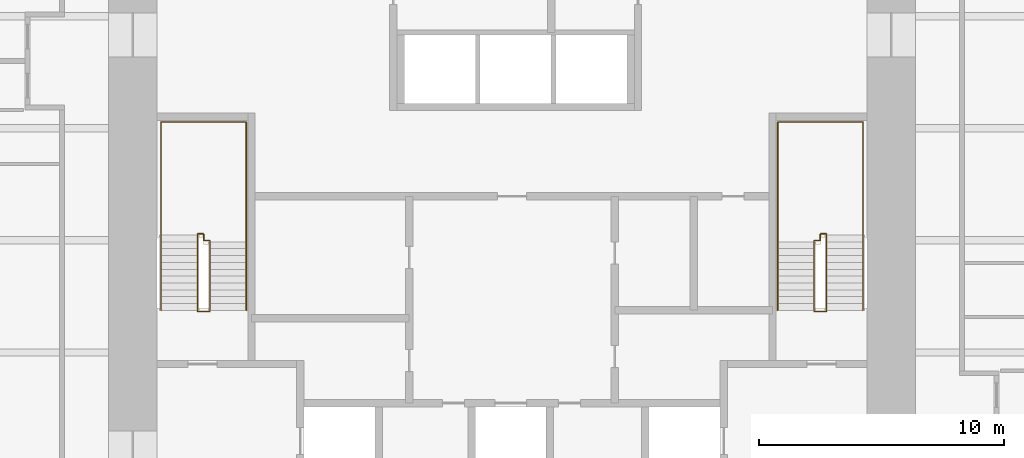
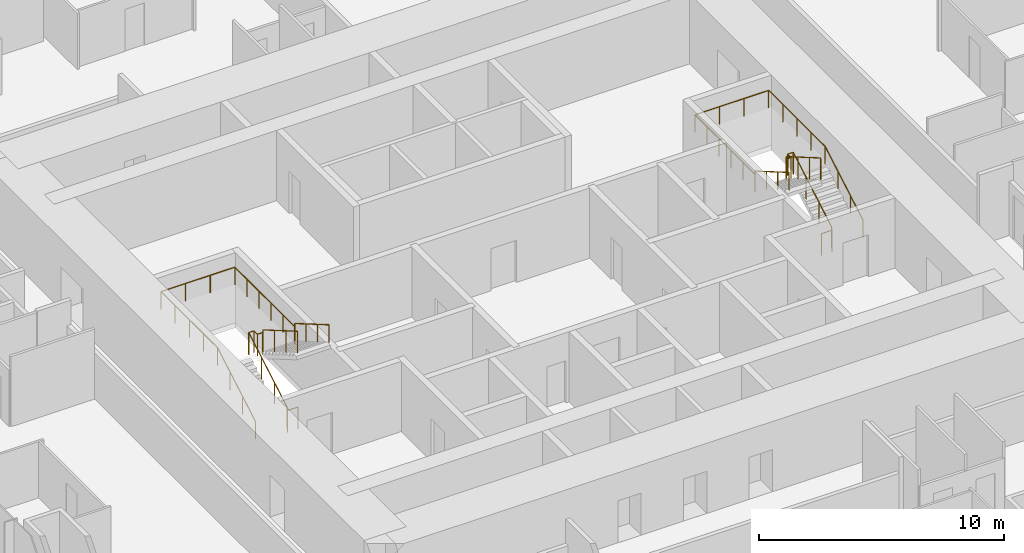
# One storey, part 11 of 11: 4 railings.
"""IFC4 building model written with IfcOpenShell, lengths in metres."""

from ifc_helpers import new_model, si_unit, direction, frame, origin, origin_2d, place, context, subcontext, project, spatial, circle, extrude, material, type_object, element, save


model = new_model("IFC4")

# Units and contexts
model_context = context("Model", 3, precision=1e-05, world=origin(), true_north=direction((0.0, 1.0)))
body_context = subcontext(model_context, "Body", "Model", "MODEL_VIEW")
ifc_project = project(units=[si_unit("LENGTHUNIT", "METRE"), si_unit("AREAUNIT", "SQUARE_METRE"), si_unit("VOLUMEUNIT", "CUBIC_METRE"), si_unit("PLANEANGLEUNIT", "RADIAN"), si_unit("MASSUNIT", "GRAM", prefix="KILO")], contexts=[model_context])

# Site, building, storey
site_placement = place(None, origin())
site = spatial("IfcSite", under=ifc_project, at=site_placement, CompositionType="ELEMENT")
building_placement = place(site_placement, origin())
building = spatial("IfcBuilding", under=site, at=building_placement, Name="Khuree Lantern Residences", CompositionType="ELEMENT")
storey_placement = place(building_placement, frame((0.0, 0.0, 171.0)))
storey = spatial("IfcBuildingStorey", under=building, at=storey_placement, Name="L43", CompositionType="ELEMENT", Elevation=171.0)

# Railings
ifc_material = material(Name="Steel S355", Category="steel")
railing_type_1 = type_object("IfcRailingType", Name="STAIR GUARD G1 1100", PredefinedType="GUARDRAIL", material=ifc_material)
railing_1_placement = place(storey_placement, frame((-12.35009765625, -2.909912109375, 0.0)))
element("IfcRailing", 1, at=railing_1_placement, inside=storey, type_object=railing_type_1, Name="Stair ST1 guard", PredefinedType="GUARDRAIL", context=body_context, shape_type="SweptSolid", body=[
    extrude(circle(Radius=0.02392578125, at=origin_2d()), frame((0.0, 0.0, 1.076171875), z_axis=(-1.0, 0.0, 0.0), x_axis=(0.0, -1.0, 0.0)), (0.0, 0.0, 1.0), 0.5),
    extrude(circle(Radius=0.02392578125, at=origin_2d()), frame((-0.5, 0.0, 1.076171875), z_axis=(0.0, 0.292073035251, 0.95639601739), x_axis=(-1.0, 0.0, 0.0)), (0.0, 0.0, 1.0), 0.17041015625),
    extrude(circle(Radius=0.02392578125, at=origin_2d()), frame((-0.5, 0.0498046875, 1.2392578125), z_axis=(0.0, 0.864176135923, 0.503189433615), x_axis=(-1.0, 0.0, 0.0)), (0.0, 0.0, 1.0), 3.564208984375),
    extrude(circle(Radius=0.02392578125, at=origin_2d()), frame((-0.5, 3.1298828125, 3.03271484375), z_axis=(0.0, 1.0, 0.0), x_axis=(-1.0, 0.0, 0.0)), (0.0, 0.0, 1.0), 0.050048828125),
    extrude(circle(Radius=0.02392578125, at=origin_2d()), frame((-0.5, 3.179931640625, 3.03271484375), z_axis=(1.0, 0.0, 0.0), x_axis=(0.0, 1.0, 0.0)), (0.0, 0.0, 1.0), 0.25),
    extrude(circle(Radius=0.02392578125, at=origin_2d()), frame((-0.25, 3.179931640625, 3.03271484375), z_axis=(0.0, -1.0, 0.0), x_axis=(1.0, 0.0, 0.0)), (0.0, 0.0, 1.0), 0.280029296875),
    extrude(circle(Radius=0.02392578125, at=origin_2d()), frame((-0.25, 2.89990234375, 3.03271484375), z_axis=(1.0, 0.0, 0.0), x_axis=(0.0, 1.0, 0.0)), (0.0, 0.0, 1.0), 0.25),
    extrude(circle(Radius=0.02392578125, at=origin_2d()), frame((0.0, 2.89990234375, 3.03271484375), z_axis=(0.0, -0.293381807449, 0.955995353053), x_axis=(1.0, 0.0, 0.0)), (0.0, 0.0, 1.0), 0.170654296875),
    extrude(circle(Radius=0.02392578125, at=origin_2d()), frame((0.0, 2.849853515625, 3.19580078125), z_axis=(0.0, -0.864180358799, 0.503182181189), x_axis=(1.0, 0.0, 0.0)), (0.0, 0.0, 1.0), 3.240234375),
    extrude(circle(Radius=0.02099609375, at=origin_2d()), origin(), (0.0, 0.0, 1.0), 1.052001953125),
    extrude(circle(Radius=0.02099609375, at=origin_2d()), frame((-0.5, 0.0, 0.0)), (0.0, 0.0, 1.0), 1.052001953125),
    extrude(circle(Radius=0.02099609375, at=origin_2d()), frame((-0.5, 0.0498046875, 0.1630859375)), (0.0, 0.0, 1.0), 1.052001953125),
    extrude(circle(Radius=0.02099609375, at=origin_2d()), frame((-0.5, 1.076416015625, 0.760986328125)), (0.0, 0.0, 1.0), 1.052001953125),
    extrude(circle(Radius=0.02099609375, at=origin_2d()), frame((-0.5, 2.103271484375, 1.358642578125)), (0.0, 0.0, 1.0), 1.052001953125),
    extrude(circle(Radius=0.02099609375, at=origin_2d()), frame((-0.5, 3.1298828125, 1.95654296875)), (0.0, 0.0, 1.0), 1.052001953125),
    extrude(circle(Radius=0.02099609375, at=origin_2d()), frame((-0.5, 3.179931640625, 1.95654296875)), (0.0, 0.0, 1.0), 1.052001953125),
    extrude(circle(Radius=0.02099609375, at=origin_2d()), frame((-0.25, 3.179931640625, 1.95654296875)), (0.0, 0.0, 1.0), 1.052001953125),
    extrude(circle(Radius=0.02099609375, at=origin_2d()), frame((-0.25, 2.89990234375, 1.95654296875)), (0.0, 0.0, 1.0), 1.052001953125),
    extrude(circle(Radius=0.02099609375, at=origin_2d()), frame((0.0, 2.89990234375, 1.95654296875)), (0.0, 0.0, 1.0), 1.052001953125),
    extrude(circle(Radius=0.02099609375, at=origin_2d()), frame((0.0, 2.849853515625, 2.11962890625)), (0.0, 0.0, 1.0), 1.052001953125),
    extrude(circle(Radius=0.02099609375, at=origin_2d()), frame((0.0, 1.91650390625, 2.6630859375)), (0.0, 0.0, 1.0), 1.052001953125),
    extrude(circle(Radius=0.02099609375, at=origin_2d()), frame((0.0, 0.983154296875, 3.20654296875)), (0.0, 0.0, 1.0), 1.052001953125),
    extrude(circle(Radius=0.02099609375, at=origin_2d()), frame((0.0, 0.0498046875, 3.75)), (0.0, 0.0, 1.0), 1.052001953125),
])
railing_2_placement = place(storey_placement, frame((12.35009765625, -2.909912109375, 0.0)))
element("IfcRailing", 2, at=railing_2_placement, inside=storey, type_object=railing_type_1, Name="Stair ST2 guard", PredefinedType="GUARDRAIL", context=body_context, shape_type="SweptSolid", body=[
    extrude(circle(Radius=0.02392578125, at=origin_2d()), frame((0.0, 0.0, 1.076171875), z_axis=(1.0, 0.0, 0.0), x_axis=(0.0, 1.0, 0.0)), (0.0, 0.0, 1.0), 0.5),
    extrude(circle(Radius=0.02392578125, at=origin_2d()), frame((0.5, 0.0, 1.076171875), z_axis=(0.0, 0.292073035251, 0.95639601739), x_axis=(-1.0, 0.0, 0.0)), (0.0, 0.0, 1.0), 0.17041015625),
    extrude(circle(Radius=0.02392578125, at=origin_2d()), frame((0.5, 0.0498046875, 1.2392578125), z_axis=(0.0, 0.864176135923, 0.503189433615), x_axis=(-1.0, 0.0, 0.0)), (0.0, 0.0, 1.0), 3.564208984375),
    extrude(circle(Radius=0.02392578125, at=origin_2d()), frame((0.5, 3.1298828125, 3.03271484375), z_axis=(0.0, 1.0, 0.0), x_axis=(-1.0, 0.0, 0.0)), (0.0, 0.0, 1.0), 0.050048828125),
    extrude(circle(Radius=0.02392578125, at=origin_2d()), frame((0.5, 3.179931640625, 3.03271484375), z_axis=(-1.0, 0.0, 0.0), x_axis=(0.0, -1.0, 0.0)), (0.0, 0.0, 1.0), 0.25),
    extrude(circle(Radius=0.02392578125, at=origin_2d()), frame((0.25, 3.179931640625, 3.03271484375), z_axis=(0.0, -1.0, 0.0), x_axis=(1.0, 0.0, 0.0)), (0.0, 0.0, 1.0), 0.280029296875),
    extrude(circle(Radius=0.02392578125, at=origin_2d()), frame((0.25, 2.89990234375, 3.03271484375), z_axis=(-1.0, 0.0, 0.0), x_axis=(0.0, -1.0, 0.0)), (0.0, 0.0, 1.0), 0.25),
    extrude(circle(Radius=0.02392578125, at=origin_2d()), frame((0.0, 2.89990234375, 3.03271484375), z_axis=(0.0, -0.293381807449, 0.955995353053), x_axis=(1.0, 0.0, 0.0)), (0.0, 0.0, 1.0), 0.170654296875),
    extrude(circle(Radius=0.02392578125, at=origin_2d()), frame((0.0, 2.849853515625, 3.19580078125), z_axis=(0.0, -0.864180358799, 0.503182181189), x_axis=(1.0, 0.0, 0.0)), (0.0, 0.0, 1.0), 3.240234375),
    extrude(circle(Radius=0.02099609375, at=origin_2d()), origin(), (0.0, 0.0, 1.0), 1.052001953125),
    extrude(circle(Radius=0.02099609375, at=origin_2d()), frame((0.5, 0.0, 0.0)), (0.0, 0.0, 1.0), 1.052001953125),
    extrude(circle(Radius=0.02099609375, at=origin_2d()), frame((0.5, 0.0498046875, 0.1630859375)), (0.0, 0.0, 1.0), 1.052001953125),
    extrude(circle(Radius=0.02099609375, at=origin_2d()), frame((0.5, 1.076416015625, 0.760986328125)), (0.0, 0.0, 1.0), 1.052001953125),
    extrude(circle(Radius=0.02099609375, at=origin_2d()), frame((0.5, 2.103271484375, 1.358642578125)), (0.0, 0.0, 1.0), 1.052001953125),
    extrude(circle(Radius=0.02099609375, at=origin_2d()), frame((0.5, 3.1298828125, 1.95654296875)), (0.0, 0.0, 1.0), 1.052001953125),
    extrude(circle(Radius=0.02099609375, at=origin_2d()), frame((0.5, 3.179931640625, 1.95654296875)), (0.0, 0.0, 1.0), 1.052001953125),
    extrude(circle(Radius=0.02099609375, at=origin_2d()), frame((0.25, 3.179931640625, 1.95654296875)), (0.0, 0.0, 1.0), 1.052001953125),
    extrude(circle(Radius=0.02099609375, at=origin_2d()), frame((0.25, 2.89990234375, 1.95654296875)), (0.0, 0.0, 1.0), 1.052001953125),
    extrude(circle(Radius=0.02099609375, at=origin_2d()), frame((0.0, 2.89990234375, 1.95654296875)), (0.0, 0.0, 1.0), 1.052001953125),
    extrude(circle(Radius=0.02099609375, at=origin_2d()), frame((0.0, 2.849853515625, 2.11962890625)), (0.0, 0.0, 1.0), 1.052001953125),
    extrude(circle(Radius=0.02099609375, at=origin_2d()), frame((0.0, 1.91650390625, 2.6630859375)), (0.0, 0.0, 1.0), 1.052001953125),
    extrude(circle(Radius=0.02099609375, at=origin_2d()), frame((0.0, 0.983154296875, 3.20654296875)), (0.0, 0.0, 1.0), 1.052001953125),
    extrude(circle(Radius=0.02099609375, at=origin_2d()), frame((0.0, 0.0498046875, 3.75)), (0.0, 0.0, 1.0), 1.052001953125),
])
railing_type_2 = type_object("IfcRailingType", Name="STAIR HANDRAIL H1 900", PredefinedType="HANDRAIL", material=ifc_material)
railing_3_placement = place(storey_placement, frame((-14.340087890625, -2.860107421875, 0.1630859375)))
element("IfcRailing", 3, at=railing_3_placement, inside=storey, type_object=railing_type_2, Name="Stair ST1 handrail", PredefinedType="HANDRAIL", context=body_context, shape_type="SweptSolid", body=[
    extrude(circle(Radius=0.02392578125, at=origin_2d()), frame((0.0, 0.0, 0.8759765625), z_axis=(0.0, 0.864176135923, 0.503189433615), x_axis=(-1.0, 0.0, 0.0)), (0.0, 0.0, 1.0), 3.564208984375),
    extrude(circle(Radius=0.02392578125, at=origin_2d()), frame((0.0, 3.080078125, 2.66943359375), z_axis=(0.0, 1.0, 0.0), x_axis=(-1.0, 0.0, 0.0)), (0.0, 0.0, 1.0), 4.6201171875),
    extrude(circle(Radius=0.02392578125, at=origin_2d()), frame((0.0, 7.7001953125, 2.66943359375), z_axis=(1.0, 0.0, 0.0), x_axis=(0.0, 1.0, 0.0)), (0.0, 0.0, 1.0), 3.47998046875),
    extrude(circle(Radius=0.02392578125, at=origin_2d()), frame((3.47998046875, 7.7001953125, 2.66943359375), z_axis=(0.0, -1.0, 0.0), x_axis=(1.0, 0.0, 0.0)), (0.0, 0.0, 1.0), 4.900146484375),
    extrude(circle(Radius=0.02392578125, at=origin_2d()), frame((3.47998046875, 2.800048828125, 2.66943359375), z_axis=(0.0, 0.0, 1.0), x_axis=(1.0, 0.0, 0.0)), (0.0, 0.0, 1.0), 0.1630859375),
    extrude(circle(Radius=0.02392578125, at=origin_2d()), frame((3.47998046875, 2.800048828125, 2.83251953125), z_axis=(0.0, -0.864180358799, 0.503182181189), x_axis=(1.0, 0.0, 0.0)), (0.0, 0.0, 1.0), 3.240234375),
    extrude(circle(Radius=0.02099609375, at=origin_2d()), origin(), (0.0, 0.0, 1.0), 0.851806640625),
    extrude(circle(Radius=0.02099609375, at=origin_2d()), frame((0.0, 1.026611328125, 0.597900390625)), (0.0, 0.0, 1.0), 0.851806640625),
    extrude(circle(Radius=0.02099609375, at=origin_2d()), frame((0.0, 2.053466796875, 1.195556640625)), (0.0, 0.0, 1.0), 0.851806640625),
    extrude(circle(Radius=0.02099609375, at=origin_2d()), frame((0.0, 3.080078125, 1.79345703125)), (0.0, 0.0, 1.0), 0.851806640625),
    extrude(circle(Radius=0.02099609375, at=origin_2d()), frame((0.0, 4.235107421875, 1.79345703125)), (0.0, 0.0, 1.0), 0.851806640625),
    extrude(circle(Radius=0.02099609375, at=origin_2d()), frame((0.0, 5.39013671875, 1.79345703125)), (0.0, 0.0, 1.0), 0.851806640625),
    extrude(circle(Radius=0.02099609375, at=origin_2d()), frame((0.0, 6.545166015625, 1.79345703125)), (0.0, 0.0, 1.0), 0.851806640625),
    extrude(circle(Radius=0.02099609375, at=origin_2d()), frame((0.0, 7.7001953125, 1.79345703125)), (0.0, 0.0, 1.0), 0.851806640625),
    extrude(circle(Radius=0.02099609375, at=origin_2d()), frame((1.159912109375, 7.7001953125, 1.79345703125)), (0.0, 0.0, 1.0), 0.851806640625),
    extrude(circle(Radius=0.02099609375, at=origin_2d()), frame((2.320068359375, 7.7001953125, 1.79345703125)), (0.0, 0.0, 1.0), 0.851806640625),
    extrude(circle(Radius=0.02099609375, at=origin_2d()), frame((3.47998046875, 7.7001953125, 1.79345703125)), (0.0, 0.0, 1.0), 0.851806640625),
    extrude(circle(Radius=0.02099609375, at=origin_2d()), frame((3.47998046875, 6.72021484375, 1.79345703125)), (0.0, 0.0, 1.0), 0.851806640625),
    extrude(circle(Radius=0.02099609375, at=origin_2d()), frame((3.47998046875, 5.740234375, 1.79345703125)), (0.0, 0.0, 1.0), 0.851806640625),
    extrude(circle(Radius=0.02099609375, at=origin_2d()), frame((3.47998046875, 4.760009765625, 1.79345703125)), (0.0, 0.0, 1.0), 0.851806640625),
    extrude(circle(Radius=0.02099609375, at=origin_2d()), frame((3.47998046875, 3.780029296875, 1.79345703125)), (0.0, 0.0, 1.0), 0.851806640625),
    extrude(circle(Radius=0.02099609375, at=origin_2d()), frame((3.47998046875, 2.800048828125, 1.79345703125)), (0.0, 0.0, 1.0), 0.851806640625),
    extrude(circle(Radius=0.02099609375, at=origin_2d()), frame((3.47998046875, 2.800048828125, 1.95654296875)), (0.0, 0.0, 1.0), 0.851806640625),
    extrude(circle(Radius=0.02099609375, at=origin_2d()), frame((3.47998046875, 1.86669921875, 2.5)), (0.0, 0.0, 1.0), 0.851806640625),
    extrude(circle(Radius=0.02099609375, at=origin_2d()), frame((3.47998046875, 0.933349609375, 3.04345703125)), (0.0, 0.0, 1.0), 0.851806640625),
    extrude(circle(Radius=0.02099609375, at=origin_2d()), frame((3.47998046875, 0.0, 3.5869140625)), (0.0, 0.0, 1.0), 0.851806640625),
])
railing_4_placement = place(storey_placement, frame((14.340087890625, -2.860107421875, 0.1630859375)))
element("IfcRailing", 4, at=railing_4_placement, inside=storey, type_object=railing_type_2, Name="Stair ST2 handrail", PredefinedType="HANDRAIL", context=body_context, shape_type="SweptSolid", body=[
    extrude(circle(Radius=0.02392578125, at=origin_2d()), frame((0.0, 0.0, 0.8759765625), z_axis=(0.0, 0.864176135923, 0.503189433615), x_axis=(-1.0, 0.0, 0.0)), (0.0, 0.0, 1.0), 3.564208984375),
    extrude(circle(Radius=0.02392578125, at=origin_2d()), frame((0.0, 3.080078125, 2.66943359375), z_axis=(0.0, 1.0, 0.0), x_axis=(-1.0, 0.0, 0.0)), (0.0, 0.0, 1.0), 4.6201171875),
    extrude(circle(Radius=0.02392578125, at=origin_2d()), frame((0.0, 7.7001953125, 2.66943359375), z_axis=(-1.0, 0.0, 0.0), x_axis=(0.0, -1.0, 0.0)), (0.0, 0.0, 1.0), 3.47998046875),
    extrude(circle(Radius=0.02392578125, at=origin_2d()), frame((-3.47998046875, 7.7001953125, 2.66943359375), z_axis=(0.0, -1.0, 0.0), x_axis=(1.0, 0.0, 0.0)), (0.0, 0.0, 1.0), 4.900146484375),
    extrude(circle(Radius=0.02392578125, at=origin_2d()), frame((-3.47998046875, 2.800048828125, 2.66943359375), z_axis=(0.0, 0.0, 1.0), x_axis=(1.0, 0.0, 0.0)), (0.0, 0.0, 1.0), 0.1630859375),
    extrude(circle(Radius=0.02392578125, at=origin_2d()), frame((-3.47998046875, 2.800048828125, 2.83251953125), z_axis=(0.0, -0.864180358799, 0.503182181189), x_axis=(1.0, 0.0, 0.0)), (0.0, 0.0, 1.0), 3.240234375),
    extrude(circle(Radius=0.02099609375, at=origin_2d()), origin(), (0.0, 0.0, 1.0), 0.851806640625),
    extrude(circle(Radius=0.02099609375, at=origin_2d()), frame((0.0, 1.026611328125, 0.597900390625)), (0.0, 0.0, 1.0), 0.851806640625),
    extrude(circle(Radius=0.02099609375, at=origin_2d()), frame((0.0, 2.053466796875, 1.195556640625)), (0.0, 0.0, 1.0), 0.851806640625),
    extrude(circle(Radius=0.02099609375, at=origin_2d()), frame((0.0, 3.080078125, 1.79345703125)), (0.0, 0.0, 1.0), 0.851806640625),
    extrude(circle(Radius=0.02099609375, at=origin_2d()), frame((0.0, 4.235107421875, 1.79345703125)), (0.0, 0.0, 1.0), 0.851806640625),
    extrude(circle(Radius=0.02099609375, at=origin_2d()), frame((0.0, 5.39013671875, 1.79345703125)), (0.0, 0.0, 1.0), 0.851806640625),
    extrude(circle(Radius=0.02099609375, at=origin_2d()), frame((0.0, 6.545166015625, 1.79345703125)), (0.0, 0.0, 1.0), 0.851806640625),
    extrude(circle(Radius=0.02099609375, at=origin_2d()), frame((0.0, 7.7001953125, 1.79345703125)), (0.0, 0.0, 1.0), 0.851806640625),
    extrude(circle(Radius=0.02099609375, at=origin_2d()), frame((-1.159912109375, 7.7001953125, 1.79345703125)), (0.0, 0.0, 1.0), 0.851806640625),
    extrude(circle(Radius=0.02099609375, at=origin_2d()), frame((-2.320068359375, 7.7001953125, 1.79345703125)), (0.0, 0.0, 1.0), 0.851806640625),
    extrude(circle(Radius=0.02099609375, at=origin_2d()), frame((-3.47998046875, 7.7001953125, 1.79345703125)), (0.0, 0.0, 1.0), 0.851806640625),
    extrude(circle(Radius=0.02099609375, at=origin_2d()), frame((-3.47998046875, 6.72021484375, 1.79345703125)), (0.0, 0.0, 1.0), 0.851806640625),
    extrude(circle(Radius=0.02099609375, at=origin_2d()), frame((-3.47998046875, 5.740234375, 1.79345703125)), (0.0, 0.0, 1.0), 0.851806640625),
    extrude(circle(Radius=0.02099609375, at=origin_2d()), frame((-3.47998046875, 4.760009765625, 1.79345703125)), (0.0, 0.0, 1.0), 0.851806640625),
    extrude(circle(Radius=0.02099609375, at=origin_2d()), frame((-3.47998046875, 3.780029296875, 1.79345703125)), (0.0, 0.0, 1.0), 0.851806640625),
    extrude(circle(Radius=0.02099609375, at=origin_2d()), frame((-3.47998046875, 2.800048828125, 1.79345703125)), (0.0, 0.0, 1.0), 0.851806640625),
    extrude(circle(Radius=0.02099609375, at=origin_2d()), frame((-3.47998046875, 2.800048828125, 1.95654296875)), (0.0, 0.0, 1.0), 0.851806640625),
    extrude(circle(Radius=0.02099609375, at=origin_2d()), frame((-3.47998046875, 1.86669921875, 2.5)), (0.0, 0.0, 1.0), 0.851806640625),
    extrude(circle(Radius=0.02099609375, at=origin_2d()), frame((-3.47998046875, 0.933349609375, 3.04345703125)), (0.0, 0.0, 1.0), 0.851806640625),
    extrude(circle(Radius=0.02099609375, at=origin_2d()), frame((-3.47998046875, 0.0, 3.5869140625)), (0.0, 0.0, 1.0), 0.851806640625),
])

save(model, "model.ifc")
